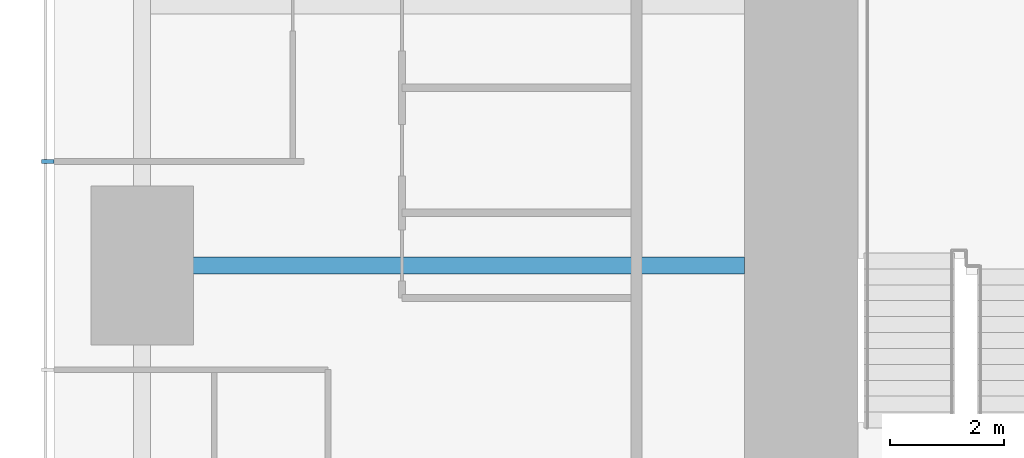
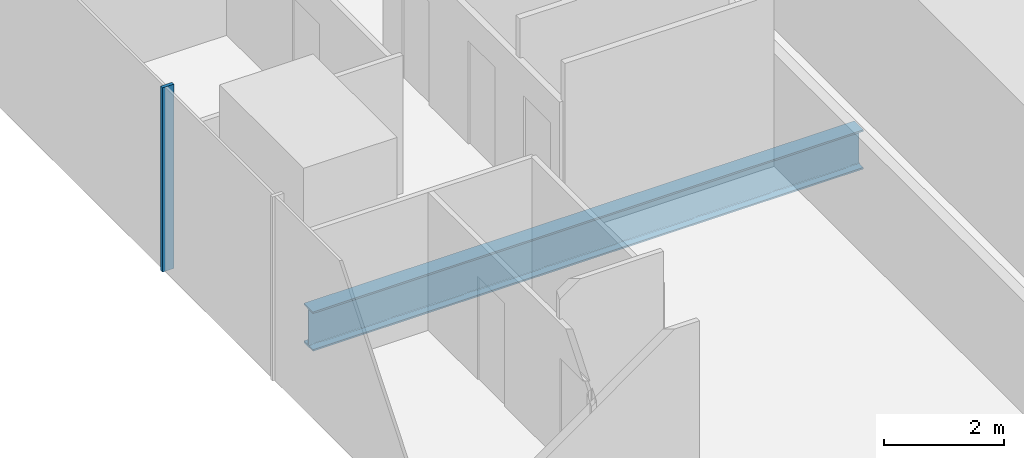
# One storey, part 3 of 13: 1 beam, 1 member, 1 element without a shape of its own.
"""IFC4 building model written with IfcOpenShell, lengths in metres."""

from ifc_helpers import new_model, si_unit, direction, frame, origin, origin_2d, place, context, subcontext, project, spatial, rectangle, i_section, extrude, material, material_profile, profile_set, type_object, element, aggregate, save


model = new_model("IFC4")

# Units and contexts
model_context = context("Model", 3, precision=1e-05, world=origin(), true_north=direction((0.0, 1.0)))
body_context = subcontext(model_context, "Body", "Model", "MODEL_VIEW")
ifc_project = project(units=[si_unit("LENGTHUNIT", "METRE"), si_unit("AREAUNIT", "SQUARE_METRE"), si_unit("VOLUMEUNIT", "CUBIC_METRE"), si_unit("PLANEANGLEUNIT", "RADIAN"), si_unit("MASSUNIT", "GRAM", prefix="KILO")], contexts=[model_context])

# Site, building, storey
site_placement = place(None, origin())
site = spatial("IfcSite", under=ifc_project, at=site_placement, CompositionType="ELEMENT")
building_placement = place(site_placement, origin())
building = spatial("IfcBuilding", under=site, at=building_placement, Name="Khuree Lantern Residences", CompositionType="ELEMENT")
storey_placement = place(building_placement, frame((0.0, 0.0, 148.5)))
storey = spatial("IfcBuildingStorey", under=building, at=storey_placement, Name="L37", CompositionType="ELEMENT", Elevation=148.5)

# Beam
ifc_material_1 = material(Name="Steel S355", Category="steel")
ifc_material_profile_1 = material_profile(ifc_material_1, i_section(OverallWidth=0.300048828125, OverallDepth=0.800048828125, WebThickness=0.017578125, FlangeThickness=0.032958984375, FilletRadius=0.030029296875, at=origin_2d()), Name="HE 800 B")
ifc_profile_set_1 = profile_set([ifc_material_profile_1], Name="Steel S355")
beam_type = type_object("IfcBeamType", Name="G-23 GIRDER HE 800 B", PredefinedType="BEAM", material=ifc_profile_set_1)
beam_placement = place(storey_placement, frame((-27.10009765625, 0.0, -0.64990234375), z_axis=(1.0, 0.0, 0.0), x_axis=(0.0, 1.0, 0.0)))
element("IfcBeam", 1, at=beam_placement, inside=storey, type_object=beam_type, Name="Girder W3", PredefinedType="BEAM", context=body_context, shape_type="SweptSolid", body=[
    extrude(i_section(OverallWidth=0.300048828125, OverallDepth=0.800048828125, WebThickness=0.017578125, FlangeThickness=0.032958984375, FilletRadius=0.030029296875, at=origin_2d()), origin(), (0.0, 0.0, 1.0), 10.60009765625),
])

# Curtain wall, member
ifc_material_2 = material(Name="Bronze anodised aluminium", Category="aluminium")
curtain_wall_type = type_object("IfcCurtainWallType", Name="CW-T1 TOWER FACE CURTAIN WALL", PredefinedType="USERDEFINED", material=ifc_material_2)
curtain_wall_placement = place(storey_placement, origin())
curtain_wall = element("IfcCurtainWall", 2, at=curtain_wall_placement, inside=storey, type_object=curtain_wall_type, Name="L37 WEST FACE CURTAIN WALL", ObjectType="Stick-built curtain wall", PredefinedType="USERDEFINED")
ifc_material_profile_2 = material_profile(ifc_material_2, rectangle(XDim=0.06494140625, YDim=0.219970703125, at=origin_2d()), Name="M1 65X220")
ifc_profile_set_2 = profile_set([ifc_material_profile_2], Name="Bronze anodised aluminium")
member_type = type_object("IfcMemberType", Name="M1 BRONZE MULLION TOWER 65X220", PredefinedType="MULLION", material=ifc_profile_set_2)
member_placement = place(storey_placement, frame((-28.760009765625, 1.83203125, 0.0), z_axis=(0.0, 0.0, 1.0), x_axis=(0.0, -1.0, 0.0)))
member = element("IfcMember", 3, at=member_placement, type_object=member_type, Name="L37 WEST FACE MULLION 37", PredefinedType="MULLION", context=body_context, shape_type="SweptSolid", body=[
    extrude(rectangle(XDim=0.06494140625, YDim=0.219970703125, at=origin_2d()), origin(), (0.0, 0.0, 1.0), 3.75),
])
aggregate(curtain_wall, [member])

save(model, "model.ifc")
